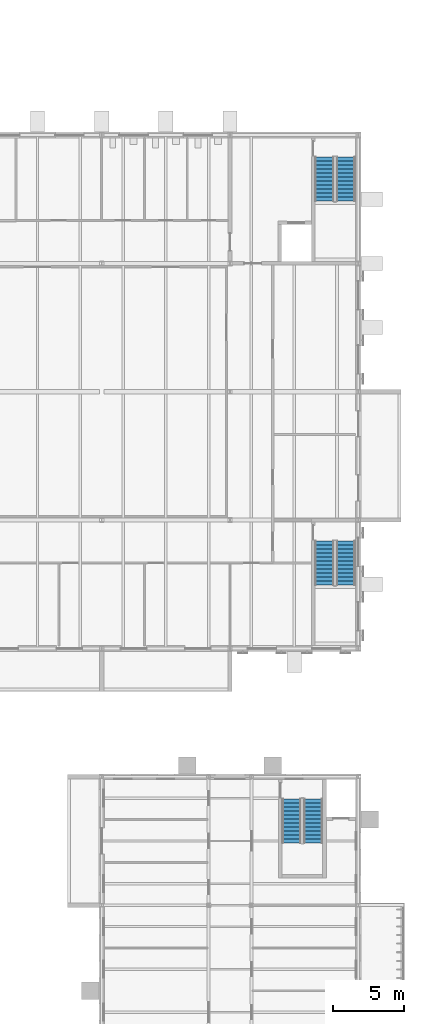
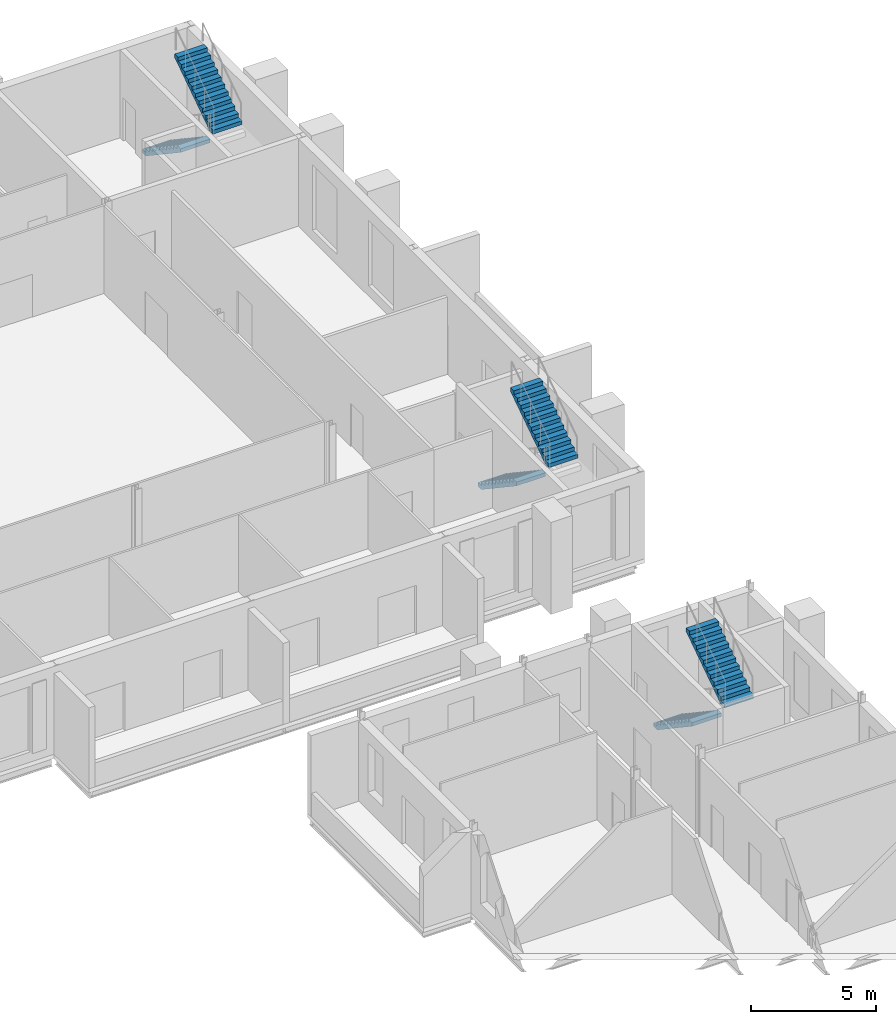
# One storey, part 96 of 134: 6 stair flights, 3 elements without a shape of their own.
"""IFC4 building model written with IfcOpenShell, lengths in metres."""

from ifc_helpers import new_model, si_unit, direction, frame, origin, place, context, subcontext, project, spatial, polyline, outline, extrude, material, type_object, element, aggregate, save


model = new_model("IFC4")

# Units and contexts
model_context = context("Model", 3, precision=1e-05, world=origin(), true_north=direction((0.0, 1.0)))
body_context = subcontext(model_context, "Body", "Model", "MODEL_VIEW")
ifc_project = project(units=[si_unit("LENGTHUNIT", "METRE"), si_unit("AREAUNIT", "SQUARE_METRE"), si_unit("VOLUMEUNIT", "CUBIC_METRE"), si_unit("PLANEANGLEUNIT", "RADIAN"), si_unit("MASSUNIT", "GRAM", prefix="KILO")], contexts=[model_context])

# Site, building, storey
site_placement = place(None, origin())
site = spatial("IfcSite", under=ifc_project, at=site_placement, CompositionType="ELEMENT")
building_placement = place(site_placement, origin())
building = spatial("IfcBuilding", under=site, at=building_placement, Name="Golden Quay Civic Hall", CompositionType="ELEMENT")
storey_placement = place(building_placement, frame((0.0, 0.0, 5.39990234375)))
storey = spatial("IfcBuildingStorey", under=building, at=storey_placement, Name="L01", CompositionType="ELEMENT", Elevation=5.39990234375)

# Stair, stair flights
ifc_material_1 = material(Name="Concrete C40/50", Category="concrete")
stair_type_1 = type_object("IfcStairType", Name="Concrete half-turn stair 24 risers", PredefinedType="HALF_TURN_STAIR", material=ifc_material_1)
stair_1_placement = place(storey_placement, origin())
stair_1 = element("IfcStair", 1, at=stair_1_placement, inside=storey, type_object=stair_type_1, Name="L01 Protected Exit Stair LB-E", PredefinedType="HALF_TURN_STAIR")
ifc_material_2 = material(Name="Concrete C40/50", Category="concrete")
stair_flight_type_1 = type_object("IfcStairFlightType", Name="Concrete stair flight 1350", PredefinedType="STRAIGHT", material=ifc_material_2)
stair_flight_1_placement = place(storey_placement, frame((168.625, 97.449951171875, 0.0), z_axis=(0.0, 0.0, 1.0), x_axis=(0.0, -1.0, 0.0)))
stair_flight_1 = element("IfcStairFlight", 2, at=stair_flight_1_placement, type_object=stair_flight_type_1, Name="LB-STE flight 1", NumberOfRisers=12, NumberOfTreads=11, PredefinedType="STRAIGHT", RiserHeight=0.1875, TreadLength=0.28, context=body_context, shape_type="SweptSolid", body=[
    extrude(outline(polyline([(0.0, 0.0), (0.0, 0.1875), (0.280029296875, 0.1875), (0.280029296875, 0.375), (0.56005859375, 0.375), (0.56005859375, 0.5625), (0.840087890625, 0.5625), (0.840087890625, 0.75), (1.1201171875, 0.75), (1.1201171875, 0.9375), (1.39990234375, 0.9375), (1.39990234375, 1.125), (1.679931640625, 1.125), (1.679931640625, 1.3125), (1.9599609375, 1.3125), (1.9599609375, 1.5), (2.239990234375, 1.5), (2.239990234375, 1.6875), (2.52001953125, 1.6875), (2.52001953125, 1.875), (2.800048828125, 1.875), (2.800048828125, 2.0625), (3.080078125, 2.0625), (3.080078125, 2.25), (3.080078125, 1.882080078125), (0.26953125, 0.0), (0.0, 0.0)])), frame((0.0, 0.675048828125, 0.0), z_axis=(0.0, -1.0, 0.0), x_axis=(1.0, 0.0, 0.0)), (0.0, 0.0, 1.0), 1.35),
])
stair_flight_2_placement = place(storey_placement, frame((170.125, 94.3701171875, 2.25), z_axis=(0.0, 0.0, 1.0), x_axis=(0.0, 1.0, 0.0)))
stair_flight_2 = element("IfcStairFlight", 3, at=stair_flight_2_placement, type_object=stair_flight_type_1, Name="LB-STE flight 2", NumberOfRisers=12, NumberOfTreads=11, PredefinedType="STRAIGHT", RiserHeight=0.1875, TreadLength=0.28, context=body_context, shape_type="SweptSolid", body=[
    extrude(outline(polyline([(0.0, 0.0), (0.0, 0.1875), (0.280029296875, 0.1875), (0.280029296875, 0.375), (0.56005859375, 0.375), (0.56005859375, 0.5625), (0.840087890625, 0.5625), (0.840087890625, 0.75), (1.1201171875, 0.75), (1.1201171875, 0.9375), (1.39990234375, 0.9375), (1.39990234375, 1.125), (1.679931640625, 1.125), (1.679931640625, 1.3125), (1.9599609375, 1.3125), (1.9599609375, 1.5), (2.239990234375, 1.5), (2.239990234375, 1.6875), (2.52001953125, 1.6875), (2.52001953125, 1.875), (2.800048828125, 1.875), (2.800048828125, 2.0625), (3.080078125, 2.0625), (3.080078125, 2.25), (3.080078125, 1.882080078125), (0.26953125, 0.0), (0.0, 0.0)])), frame((0.0, 0.675048828125, 0.0), z_axis=(0.0, -1.0, 0.0), x_axis=(1.0, 0.0, 0.0)), (0.0, 0.0, 1.0), 1.35),
])
aggregate(stair_1, [stair_flight_1, stair_flight_2])

stair_2_placement = place(storey_placement, origin())
stair_2 = element("IfcStair", 4, at=stair_2_placement, inside=storey, type_object=stair_type_1, Name="L01 Protected Exit Stair LB-S", PredefinedType="HALF_TURN_STAIR")
stair_flight_3_placement = place(storey_placement, frame((168.625, 70.52490234375, 0.0), z_axis=(0.0, 0.0, 1.0), x_axis=(0.0, -1.0, 0.0)))
stair_flight_3 = element("IfcStairFlight", 5, at=stair_flight_3_placement, type_object=stair_flight_type_1, Name="LB-STS flight 1", NumberOfRisers=12, NumberOfTreads=11, PredefinedType="STRAIGHT", RiserHeight=0.1875, TreadLength=0.28, context=body_context, shape_type="SweptSolid", body=[
    extrude(outline(polyline([(0.0, 0.0), (0.0, 0.1875), (0.280029296875, 0.1875), (0.280029296875, 0.375), (0.56005859375, 0.375), (0.56005859375, 0.5625), (0.840087890625, 0.5625), (0.840087890625, 0.75), (1.1201171875, 0.75), (1.1201171875, 0.9375), (1.39990234375, 0.9375), (1.39990234375, 1.125), (1.679931640625, 1.125), (1.679931640625, 1.3125), (1.9599609375, 1.3125), (1.9599609375, 1.5), (2.239990234375, 1.5), (2.239990234375, 1.6875), (2.52001953125, 1.6875), (2.52001953125, 1.875), (2.800048828125, 1.875), (2.800048828125, 2.0625), (3.080078125, 2.0625), (3.080078125, 2.25), (3.080078125, 1.882080078125), (0.26953125, 0.0), (0.0, 0.0)])), frame((0.0, 0.675048828125, 0.0), z_axis=(0.0, -1.0, 0.0), x_axis=(1.0, 0.0, 0.0)), (0.0, 0.0, 1.0), 1.35),
])
stair_flight_4_placement = place(storey_placement, frame((170.125, 67.445068359375, 2.25), z_axis=(0.0, 0.0, 1.0), x_axis=(0.0, 1.0, 0.0)))
stair_flight_4 = element("IfcStairFlight", 6, at=stair_flight_4_placement, type_object=stair_flight_type_1, Name="LB-STS flight 2", NumberOfRisers=12, NumberOfTreads=11, PredefinedType="STRAIGHT", RiserHeight=0.1875, TreadLength=0.28, context=body_context, shape_type="SweptSolid", body=[
    extrude(outline(polyline([(0.0, 0.0), (0.0, 0.1875), (0.280029296875, 0.1875), (0.280029296875, 0.375), (0.56005859375, 0.375), (0.56005859375, 0.5625), (0.840087890625, 0.5625), (0.840087890625, 0.75), (1.1201171875, 0.75), (1.1201171875, 0.9375), (1.39990234375, 0.9375), (1.39990234375, 1.125), (1.679931640625, 1.125), (1.679931640625, 1.3125), (1.9599609375, 1.3125), (1.9599609375, 1.5), (2.239990234375, 1.5), (2.239990234375, 1.6875), (2.52001953125, 1.6875), (2.52001953125, 1.875), (2.800048828125, 1.875), (2.800048828125, 2.0625), (3.080078125, 2.0625), (3.080078125, 2.25), (3.080078125, 1.882080078125), (0.26953125, 0.0), (0.0, 0.0)])), frame((0.0, 0.675048828125, 0.0), z_axis=(0.0, -1.0, 0.0), x_axis=(1.0, 0.0, 0.0)), (0.0, 0.0, 1.0), 1.35),
])
aggregate(stair_2, [stair_flight_3, stair_flight_4])

ifc_material_3 = material(Name="Concrete C35/45", Category="concrete")
stair_type_2 = type_object("IfcStairType", Name="Concrete stair 1350 wide 24 risers of 187.5", PredefinedType="HALF_TURN_STAIR", material=ifc_material_3)
stair_3_placement = place(storey_placement, origin())
stair_3 = element("IfcStair", 7, at=stair_3_placement, inside=storey, type_object=stair_type_2, Name="L01 Stair EO-N", PredefinedType="HALF_TURN_STAIR")
ifc_material_4 = material(Name="Concrete C35/45", Category="concrete")
stair_flight_type_2 = type_object("IfcStairFlightType", Name="Concrete stair flight 1350 wide 12 risers of 187.5", PredefinedType="STRAIGHT", material=ifc_material_4)
stair_flight_5_placement = place(storey_placement, frame((166.324951171875, 52.449951171875, 0.0), z_axis=(0.0, 0.0, 1.0), x_axis=(0.0, -1.0, 0.0)))
stair_flight_5 = element("IfcStairFlight", 8, at=stair_flight_5_placement, type_object=stair_flight_type_2, Name="EO-N flight 1", NumberOfRisers=12, NumberOfTreads=11, PredefinedType="STRAIGHT", RiserHeight=0.1875, TreadLength=0.28, context=body_context, shape_type="SweptSolid", body=[
    extrude(outline(polyline([(0.0, 0.0), (0.0, 0.1875), (0.280029296875, 0.1875), (0.280029296875, 0.375), (0.56005859375, 0.375), (0.56005859375, 0.5625), (0.840087890625, 0.5625), (0.840087890625, 0.75), (1.1201171875, 0.75), (1.1201171875, 0.9375), (1.39990234375, 0.9375), (1.39990234375, 1.125), (1.679931640625, 1.125), (1.679931640625, 1.3125), (1.9599609375, 1.3125), (1.9599609375, 1.5), (2.239990234375, 1.5), (2.239990234375, 1.6875), (2.52001953125, 1.6875), (2.52001953125, 1.875), (2.800048828125, 1.875), (2.800048828125, 2.0625), (3.080078125, 2.0625), (3.080078125, 2.25), (3.080078125, 1.882080078125), (0.26953125, 0.0), (0.0, 0.0)])), frame((0.0, 0.675048828125, 0.0), z_axis=(0.0, -1.0, 0.0), x_axis=(1.0, 0.0, 0.0)), (0.0, 0.0, 1.0), 1.35),
])
stair_flight_6_placement = place(storey_placement, frame((167.824951171875, 49.3701171875, 2.25), z_axis=(0.0, 0.0, 1.0), x_axis=(0.0, 1.0, 0.0)))
stair_flight_6 = element("IfcStairFlight", 9, at=stair_flight_6_placement, type_object=stair_flight_type_2, Name="EO-N flight 2", NumberOfRisers=12, NumberOfTreads=11, PredefinedType="STRAIGHT", RiserHeight=0.1875, TreadLength=0.28, context=body_context, shape_type="SweptSolid", body=[
    extrude(outline(polyline([(0.0, 0.0), (0.0, 0.1875), (0.280029296875, 0.1875), (0.280029296875, 0.375), (0.56005859375, 0.375), (0.56005859375, 0.5625), (0.840087890625, 0.5625), (0.840087890625, 0.75), (1.1201171875, 0.75), (1.1201171875, 0.9375), (1.39990234375, 0.9375), (1.39990234375, 1.125), (1.679931640625, 1.125), (1.679931640625, 1.3125), (1.9599609375, 1.3125), (1.9599609375, 1.5), (2.239990234375, 1.5), (2.239990234375, 1.6875), (2.52001953125, 1.6875), (2.52001953125, 1.875), (2.800048828125, 1.875), (2.800048828125, 2.0625), (3.080078125, 2.0625), (3.080078125, 2.25), (3.080078125, 1.882080078125), (0.26953125, 0.0), (0.0, 0.0)])), frame((0.0, 0.675048828125, 0.0), z_axis=(0.0, -1.0, 0.0), x_axis=(1.0, 0.0, 0.0)), (0.0, 0.0, 1.0), 1.35),
])
aggregate(stair_3, [stair_flight_5, stair_flight_6])

save(model, "model.ifc")
